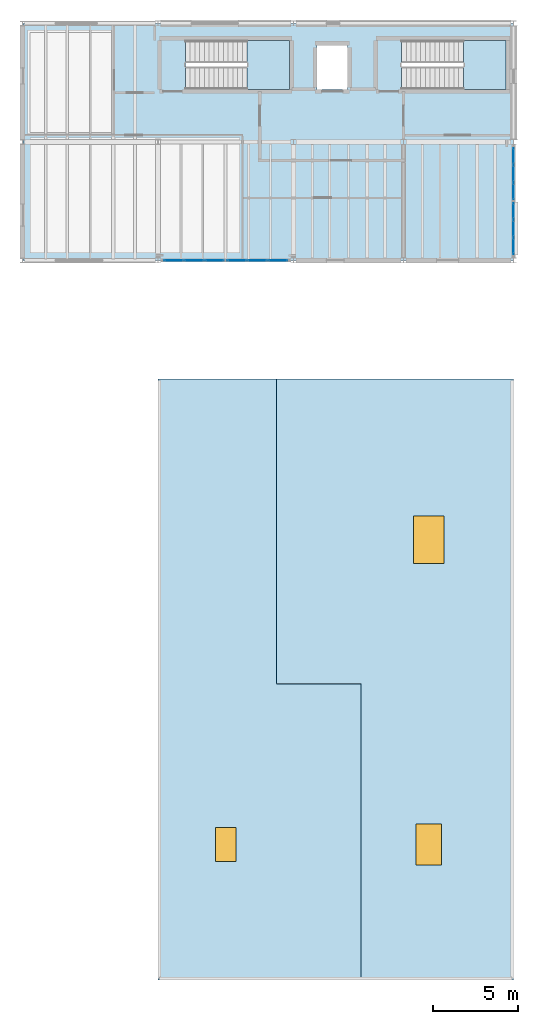
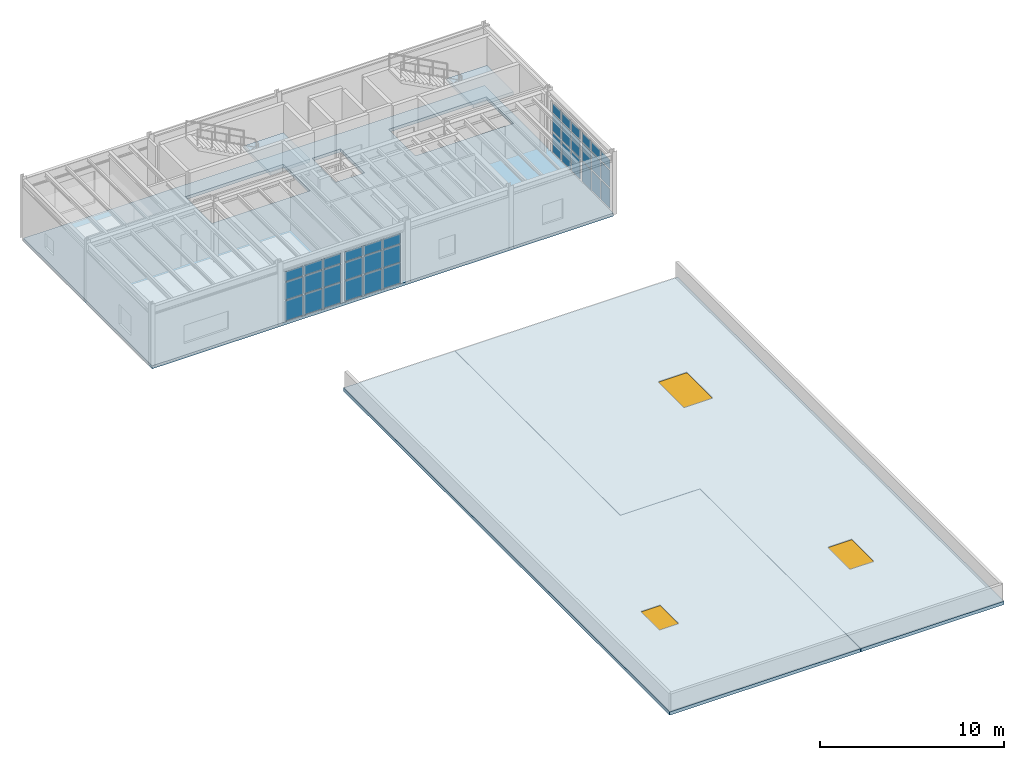
# One storey, part 6 of 11: 36 plates, 5 slabs, 3 windows, 3 openings, 6 elements without a shape of their own.
"""IFC4 building model written with IfcOpenShell, lengths in metres."""

import ifcopenshell
import ifcopenshell.guid

model = None  # the IFC model being written
_history = None  # IfcOwnerHistory: only IFC2X3 demands one
_inside = {}  # id of a spatial element -> (the spatial element, [elements in it])
_under = {}  # id of a project, library or spatial element -> (it, [spatial elements below it])
_declared = {}  # id of a project -> (the project, [libraries it declares])
_typed = {}  # id of a type object -> (the type object, [elements of that type])
_made_of = {}  # id of a material, layer set ... -> (it, [elements and type objects made of it])


def new_model(schema):
    """Start an empty IFC model of exactly this schema.

    Asked for "IFC4X3", IfcOpenShell would pick the latest addendum, in which some entities
    have other attributes; the version numbers below select the first issue.
    IFC2X3 requires an IfcOwnerHistory on every rooted entity: one is made here for all.
    """
    global model, _history
    if schema == "IFC4X3":
        model = ifcopenshell.file(schema_version=(4, 3, 0, 0))
    else:
        model = ifcopenshell.file(schema=schema)
    _inside.clear()
    _under.clear()
    _declared.clear()
    _typed.clear()
    _made_of.clear()
    _history = None
    if model.schema == "IFC2X3":
        org = make("IfcOrganization", Name="unknown")
        user = make(
            "IfcPersonAndOrganization",
            ThePerson=make("IfcPerson", FamilyName="unknown"),
            TheOrganization=org,
        )
        app = make(
            "IfcApplication",
            ApplicationDeveloper=org,
            Version="unknown",
            ApplicationFullName="unknown",
            ApplicationIdentifier="unknown",
        )
        _history = make(
            "IfcOwnerHistory",
            OwningUser=user,
            OwningApplication=app,
            ChangeAction="ADDED",
            CreationDate=0,
        )
    return model


def make(cls, **values):
    """One entity of the class cls with the attributes given. An attribute that is None is left unset."""
    return model.create_entity(
        cls, **{name: value for name, value in values.items() if value is not None}
    )


def rooted(cls, **values):
    """An entity with a GlobalId (a new one), such as an element, a storey or a relation."""
    return make(cls, GlobalId=ifcopenshell.guid.new(), OwnerHistory=_history, **values)


def si_unit(unit_type, name, prefix=None):
    """IfcSIUnit, for example si_unit("LENGTHUNIT", "METRE", prefix="MILLI")."""
    return make("IfcSIUnit", UnitType=unit_type, Prefix=prefix, Name=name)


def assignment(units):
    """IfcUnitAssignment: the units of a project."""
    return None if units is None else make("IfcUnitAssignment", Units=units)


def point(xyz):
    """IfcCartesianPoint."""
    return None if xyz is None else make("IfcCartesianPoint", Coordinates=xyz)


def direction(xyz):
    """IfcDirection."""
    return None if xyz is None else make("IfcDirection", DirectionRatios=xyz)


def frame(location, z_axis=None, x_axis=None):
    """IfcAxis2Placement3D, a coordinate frame: its origin and axes. An axis left out is left unset."""
    return make(
        "IfcAxis2Placement3D",
        Location=point(location),
        Axis=direction(z_axis),
        RefDirection=direction(x_axis),
    )


def frame_2d(location, x_axis=None):
    """IfcAxis2Placement2D, a coordinate frame in the plane: its origin and x axis."""
    return make(
        "IfcAxis2Placement2D", Location=point(location), RefDirection=direction(x_axis)
    )


def origin():
    """The frame at (0, 0, 0) with its axes left unset."""
    return frame((0.0, 0.0, 0.0))


def origin_2d():
    """The frame at (0, 0) in the plane with its x axis left unset."""
    return frame_2d((0.0, 0.0))


def place(relative_to, where):
    """IfcLocalPlacement: puts the frame where relative to a parent placement (None: the world)."""
    return make(
        "IfcLocalPlacement", PlacementRelTo=relative_to, RelativePlacement=where
    )


def context(
    kind, dimensions, precision=None, world=None, true_north=None, identifier=None
):
    """IfcGeometricRepresentationContext, for example the 3D "Model" context."""
    return make(
        "IfcGeometricRepresentationContext",
        ContextIdentifier=identifier,
        ContextType=kind,
        CoordinateSpaceDimension=dimensions,
        Precision=precision,
        WorldCoordinateSystem=world,
        TrueNorth=true_north,
    )


def subcontext(parent, identifier, kind, view, scale=None):
    """IfcGeometricRepresentationSubContext, for example "Body" below "Model"."""
    return make(
        "IfcGeometricRepresentationSubContext",
        ContextIdentifier=identifier,
        ContextType=kind,
        ParentContext=parent,
        TargetScale=scale,
        TargetView=view,
    )


def project(units=None, contexts=None):
    """IfcProject with its units and contexts."""
    return rooted(
        "IfcProject",
        Name="project",
        RepresentationContexts=contexts,
        UnitsInContext=assignment(units),
    )


def spatial(cls, under=None, at=None, **own):
    """A site, building, storey or space (cls), placed at a placement, below another one or the project."""
    s = rooted(cls, ObjectPlacement=at, **own)
    if under is not None:
        _under.setdefault(under.id(), (under, []))[1].append(s)
    return s


def polyline(points):
    """IfcPolyline through the points."""
    return make("IfcPolyline", Points=[point(p) for p in points])


def profile(cls, at=None, kind="AREA", **sizes):
    """A parametric profile (cls). Its sizes go by their IFC names, for example OverallWidth=200.0."""
    return make(cls, ProfileType=kind, Position=at, **sizes)


def rectangle(**sizes):
    """IfcRectangleProfileDef."""
    return profile("IfcRectangleProfileDef", **sizes)


def outline(outer, holes=None, kind="AREA"):
    """IfcArbitraryClosedProfileDef: a profile drawn as a closed curve; with holes, ...WithVoids."""
    if holes is None:
        return make("IfcArbitraryClosedProfileDef", ProfileType=kind, OuterCurve=outer)
    return make(
        "IfcArbitraryProfileDefWithVoids",
        ProfileType=kind,
        OuterCurve=outer,
        InnerCurves=holes,
    )


def extrude(swept, where, along, depth):
    """IfcExtrudedAreaSolid: the profile swept, set in the frame where, extruded along a direction by depth."""
    return make(
        "IfcExtrudedAreaSolid",
        SweptArea=swept,
        Position=where,
        ExtrudedDirection=direction(along),
        Depth=depth,
    )


def shape(context_of_items, identifier, shape_type, items):
    """IfcShapeRepresentation: the items that make up one representation, for example the "Body"."""
    return make(
        "IfcShapeRepresentation",
        ContextOfItems=context_of_items,
        RepresentationIdentifier=identifier,
        RepresentationType=shape_type,
        Items=items,
    )


def material(Name=None, Category=None):
    """IfcMaterial."""
    return make("IfcMaterial", Name=Name, Category=Category)


def layer(
    of_material, thickness, ventilated=None, Name=None, Category=None, Priority=None
):
    """IfcMaterialLayer: one layer of a wall or slab, of a material (None: an air gap)."""
    return make(
        "IfcMaterialLayer",
        Material=of_material,
        LayerThickness=thickness,
        IsVentilated=ventilated,
        Name=Name,
        Category=Category,
        Priority=Priority,
    )


def layer_set(layers, Name=None):
    """IfcMaterialLayerSet."""
    return make("IfcMaterialLayerSet", MaterialLayers=layers, LayerSetName=Name)


def made_of(thing, what):
    """Note that an element or type object is made of a material, layer set ...; save() writes the relation."""
    if what is not None:
        _made_of.setdefault(what.id(), (what, []))[1].append(thing)
    return thing


def type_object(cls, material=None, **own):
    """A type object (cls), such as IfcWallType, which elements share."""
    return made_of(rooted(cls, **own), material)


def element(
    cls,
    number,
    at=None,
    inside=None,
    cuts=None,
    type_object=None,
    material=None,
    context=None,
    identifier="Body",
    shape_type=None,
    held_by="IfcProductDefinitionShape",
    body=None,
    shapes=None,
    **own,
):
    """One element of the class cls, such as IfcWall. Its Tag is "e" and its number.

    at: its placement. inside: the storey or other place that contains it. cuts: it is an
    opening in that element (IfcRelVoidsElement). A single representation is given by context,
    identifier, shape_type and body (its items); several are given by shapes. held_by: the class
    of the entity that holds the representations. save() writes the other relations.
    """
    e = rooted(cls, Tag="e%d" % number, ObjectPlacement=at, **own)
    if body is not None:
        shapes = [shape(context, identifier, shape_type, body)]
    if shapes is not None:
        e.Representation = make(held_by, Representations=shapes)
    if inside is not None:
        _inside.setdefault(inside.id(), (inside, []))[1].append(e)
    if cuts is not None:
        rooted(
            "IfcRelVoidsElement", RelatingBuildingElement=cuts, RelatedOpeningElement=e
        )
    if type_object is not None:
        _typed.setdefault(type_object.id(), (type_object, []))[1].append(e)
    return made_of(e, material)


def fill(opening, filler):
    """IfcRelFillsElement: the door or window that sits in an opening."""
    return rooted(
        "IfcRelFillsElement",
        RelatingOpeningElement=opening,
        RelatedBuildingElement=filler,
    )


def aggregate(whole, parts):
    """IfcRelAggregates: a whole, such as a stair, and the parts it consists of."""
    return rooted("IfcRelAggregates", RelatingObject=whole, RelatedObjects=parts)


def save(model, path):
    """Write the relations noted so far, then the file.

    IfcRelAggregates (storeys below a building ...), IfcRelContainedInSpatialStructure (elements
    in a storey), IfcRelDefinesByType, IfcRelAssociatesMaterial and IfcRelDeclares: one each for
    every whole, place, type object, material and project.
    """
    for whole, parts in _under.values():
        aggregate(whole, parts)
    for where, things in _inside.values():
        rooted(
            "IfcRelContainedInSpatialStructure",
            RelatedElements=things,
            RelatingStructure=where,
        )
    for kind, things in _typed.values():
        rooted("IfcRelDefinesByType", RelatedObjects=things, RelatingType=kind)
    for what, things in _made_of.values():
        rooted("IfcRelAssociatesMaterial", RelatedObjects=things, RelatingMaterial=what)
    for by, libraries in _declared.values():
        rooted("IfcRelDeclares", RelatingContext=by, RelatedDefinitions=libraries)
    model.write(path)


model = new_model("IFC4")

# Units and contexts
model_context = context("Model", 3, precision=1e-05, world=origin(), true_north=direction((0.0, 1.0)))
body_context = subcontext(model_context, "Body", "Model", "MODEL_VIEW")
ifc_project = project(units=[si_unit("LENGTHUNIT", "METRE"), si_unit("AREAUNIT", "SQUARE_METRE"), si_unit("VOLUMEUNIT", "CUBIC_METRE"), si_unit("PLANEANGLEUNIT", "RADIAN"), si_unit("MASSUNIT", "GRAM", prefix="KILO"), si_unit("THERMODYNAMICTEMPERATUREUNIT", "KELVIN"), si_unit("POWERUNIT", "WATT")], contexts=[model_context])

# Site, building, storey
site_placement = place(None, origin())
site = spatial("IfcSite", under=ifc_project, at=site_placement, CompositionType="ELEMENT")
building_placement = place(site_placement, origin())
building = spatial("IfcBuilding", under=site, at=building_placement, Name="Zhenchuan Central Fire Station", CompositionType="ELEMENT")
storey_placement = place(building_placement, frame((0.0, 0.0, 18.449951171875)))
storey = spatial("IfcBuildingStorey", under=building, at=storey_placement, Name="L05", CompositionType="ELEMENT", Elevation=18.449951171875)

# Curtain wall, plates
ifc_material_1 = material(Name="Anodised aluminium and low-E glazing", Category="aluminium")
curtain_wall_type_1 = type_object("IfcCurtainWallType", Name="CW-MOD-15", PredefinedType="USERDEFINED", material=ifc_material_1)
curtain_wall_1_placement = place(storey_placement, origin())
curtain_wall_1 = element("IfcCurtainWall", 1, at=curtain_wall_1_placement, inside=storey, type_object=curtain_wall_type_1, Name="L05 Unitised Curtain Wall 150", ObjectType="UNITISED GLAZING", PredefinedType="USERDEFINED")
ifc_material_2 = material(Name="Laminated low-E double glazing", Category="glass")
ifc_layer_1 = layer(ifc_material_2, 0.011962890625, Name="Laminated low-E double glazing", Category="glass")
ifc_layer_set_1 = layer_set([ifc_layer_1], Name="Laminated low-E double glazing")
plate_type = type_object("IfcPlateType", Name="CW-PNL12", PredefinedType="CURTAIN_PANEL", material=ifc_layer_set_1)
plate_1_placement = place(storey_placement, frame((161.0, 43.345703125, 0.07080078125), z_axis=(0.0, 0.0, 1.0), x_axis=(0.0, 1.0, 0.0)))
plate_1 = element("IfcPlate", 2, at=plate_1_placement, type_object=plate_type, Name="CW-15 panel 1.1", PredefinedType="CURTAIN_PANEL", context=body_context, shape_type="SweptSolid", body=[
    extrude(rectangle(XDim=0.94140625, YDim=0.011962890625, at=origin_2d()), origin(), (0.0, 0.0, 1.0), 1.319580078125),
])
plate_2_placement = place(storey_placement, frame((161.0, 43.345703125, 1.465576171875), z_axis=(0.0, 0.0, 1.0), x_axis=(0.0, 1.0, 0.0)))
plate_2 = element("IfcPlate", 3, at=plate_2_placement, type_object=plate_type, Name="CW-15 panel 1.2", PredefinedType="CURTAIN_PANEL", context=body_context, shape_type="SweptSolid", body=[
    extrude(rectangle(XDim=0.94140625, YDim=0.011962890625, at=origin_2d()), origin(), (0.0, 0.0, 1.0), 1.14892578125),
])
plate_3_placement = place(storey_placement, frame((161.0, 43.345703125, 2.689453125), z_axis=(0.0, 0.0, 1.0), x_axis=(0.0, 1.0, 0.0)))
plate_3 = element("IfcPlate", 4, at=plate_3_placement, type_object=plate_type, Name="CW-15 panel 1.3", PredefinedType="CURTAIN_PANEL", context=body_context, shape_type="SweptSolid", body=[
    extrude(rectangle(XDim=0.94140625, YDim=0.011962890625, at=origin_2d()), origin(), (0.0, 0.0, 1.0), 0.635498046875),
])
plate_4_placement = place(storey_placement, frame((161.0, 44.381103515625, 0.07080078125), z_axis=(0.0, 0.0, 1.0), x_axis=(0.0, 1.0, 0.0)))
plate_4 = element("IfcPlate", 5, at=plate_4_placement, type_object=plate_type, Name="CW-15 panel 2.1", PredefinedType="CURTAIN_PANEL", context=body_context, shape_type="SweptSolid", body=[
    extrude(rectangle(XDim=0.97900390625, YDim=0.011962890625, at=origin_2d()), origin(), (0.0, 0.0, 1.0), 1.319580078125),
])
plate_5_placement = place(storey_placement, frame((161.0, 44.381103515625, 1.465576171875), z_axis=(0.0, 0.0, 1.0), x_axis=(0.0, 1.0, 0.0)))
plate_5 = element("IfcPlate", 6, at=plate_5_placement, type_object=plate_type, Name="CW-15 panel 2.2", PredefinedType="CURTAIN_PANEL", context=body_context, shape_type="SweptSolid", body=[
    extrude(rectangle(XDim=0.97900390625, YDim=0.011962890625, at=origin_2d()), origin(), (0.0, 0.0, 1.0), 1.14892578125),
])
plate_6_placement = place(storey_placement, frame((161.0, 44.381103515625, 2.689453125), z_axis=(0.0, 0.0, 1.0), x_axis=(0.0, 1.0, 0.0)))
plate_6 = element("IfcPlate", 7, at=plate_6_placement, type_object=plate_type, Name="CW-15 panel 2.3", PredefinedType="CURTAIN_PANEL", context=body_context, shape_type="SweptSolid", body=[
    extrude(rectangle(XDim=0.97900390625, YDim=0.011962890625, at=origin_2d()), origin(), (0.0, 0.0, 1.0), 0.635498046875),
])
plate_7_placement = place(storey_placement, frame((161.0, 45.416259765625, 0.07080078125), z_axis=(0.0, 0.0, 1.0), x_axis=(0.0, 1.0, 0.0)))
plate_7 = element("IfcPlate", 8, at=plate_7_placement, type_object=plate_type, Name="CW-15 panel 3.1", PredefinedType="CURTAIN_PANEL", context=body_context, shape_type="SweptSolid", body=[
    extrude(rectangle(XDim=0.94140625, YDim=0.011962890625, at=origin_2d()), origin(), (0.0, 0.0, 1.0), 1.319580078125),
])
plate_8_placement = place(storey_placement, frame((161.0, 45.416259765625, 1.465576171875), z_axis=(0.0, 0.0, 1.0), x_axis=(0.0, 1.0, 0.0)))
plate_8 = element("IfcPlate", 9, at=plate_8_placement, type_object=plate_type, Name="CW-15 panel 3.2", PredefinedType="CURTAIN_PANEL", context=body_context, shape_type="SweptSolid", body=[
    extrude(rectangle(XDim=0.94140625, YDim=0.011962890625, at=origin_2d()), origin(), (0.0, 0.0, 1.0), 1.14892578125),
])
plate_9_placement = place(storey_placement, frame((161.0, 45.416259765625, 2.689453125), z_axis=(0.0, 0.0, 1.0), x_axis=(0.0, 1.0, 0.0)))
plate_9 = element("IfcPlate", 10, at=plate_9_placement, type_object=plate_type, Name="CW-15 panel 3.3", PredefinedType="CURTAIN_PANEL", context=body_context, shape_type="SweptSolid", body=[
    extrude(rectangle(XDim=0.94140625, YDim=0.011962890625, at=origin_2d()), origin(), (0.0, 0.0, 1.0), 0.635498046875),
])
aggregate(curtain_wall_1, [plate_1, plate_2, plate_3, plate_4, plate_5, plate_6, plate_7, plate_8, plate_9])

curtain_wall_type_2 = type_object("IfcCurtainWallType", Name="CW-MOD-16", PredefinedType="USERDEFINED", material=ifc_material_1)
curtain_wall_2_placement = place(storey_placement, origin())
curtain_wall_2 = element("IfcCurtainWall", 11, at=curtain_wall_2_placement, inside=storey, type_object=curtain_wall_type_2, Name="L05 Unitised Curtain Wall 151", ObjectType="UNITISED GLAZING", PredefinedType="USERDEFINED")
plate_10_placement = place(storey_placement, frame((161.0, 46.583740234375, 0.07080078125), z_axis=(0.0, 0.0, 1.0), x_axis=(0.0, 1.0, 0.0)))
plate_10 = element("IfcPlate", 12, at=plate_10_placement, type_object=plate_type, Name="CW-16 panel 1.1", PredefinedType="CURTAIN_PANEL", context=body_context, shape_type="SweptSolid", body=[
    extrude(rectangle(XDim=0.94140625, YDim=0.011962890625, at=origin_2d()), origin(), (0.0, 0.0, 1.0), 1.319580078125),
])
plate_11_placement = place(storey_placement, frame((161.0, 46.583740234375, 1.465576171875), z_axis=(0.0, 0.0, 1.0), x_axis=(0.0, 1.0, 0.0)))
plate_11 = element("IfcPlate", 13, at=plate_11_placement, type_object=plate_type, Name="CW-16 panel 1.2", PredefinedType="CURTAIN_PANEL", context=body_context, shape_type="SweptSolid", body=[
    extrude(rectangle(XDim=0.94140625, YDim=0.011962890625, at=origin_2d()), origin(), (0.0, 0.0, 1.0), 1.14892578125),
])
plate_12_placement = place(storey_placement, frame((161.0, 46.583740234375, 2.689453125), z_axis=(0.0, 0.0, 1.0), x_axis=(0.0, 1.0, 0.0)))
plate_12 = element("IfcPlate", 14, at=plate_12_placement, type_object=plate_type, Name="CW-16 panel 1.3", PredefinedType="CURTAIN_PANEL", context=body_context, shape_type="SweptSolid", body=[
    extrude(rectangle(XDim=0.94140625, YDim=0.011962890625, at=origin_2d()), origin(), (0.0, 0.0, 1.0), 0.635498046875),
])
plate_13_placement = place(storey_placement, frame((161.0, 47.618896484375, 0.07080078125), z_axis=(0.0, 0.0, 1.0), x_axis=(0.0, 1.0, 0.0)))
plate_13 = element("IfcPlate", 15, at=plate_13_placement, type_object=plate_type, Name="CW-16 panel 2.1", PredefinedType="CURTAIN_PANEL", context=body_context, shape_type="SweptSolid", body=[
    extrude(rectangle(XDim=0.97900390625, YDim=0.011962890625, at=origin_2d()), origin(), (0.0, 0.0, 1.0), 1.319580078125),
])
plate_14_placement = place(storey_placement, frame((161.0, 47.618896484375, 1.465576171875), z_axis=(0.0, 0.0, 1.0), x_axis=(0.0, 1.0, 0.0)))
plate_14 = element("IfcPlate", 16, at=plate_14_placement, type_object=plate_type, Name="CW-16 panel 2.2", PredefinedType="CURTAIN_PANEL", context=body_context, shape_type="SweptSolid", body=[
    extrude(rectangle(XDim=0.97900390625, YDim=0.011962890625, at=origin_2d()), origin(), (0.0, 0.0, 1.0), 1.14892578125),
])
plate_15_placement = place(storey_placement, frame((161.0, 47.618896484375, 2.689453125), z_axis=(0.0, 0.0, 1.0), x_axis=(0.0, 1.0, 0.0)))
plate_15 = element("IfcPlate", 17, at=plate_15_placement, type_object=plate_type, Name="CW-16 panel 2.3", PredefinedType="CURTAIN_PANEL", context=body_context, shape_type="SweptSolid", body=[
    extrude(rectangle(XDim=0.97900390625, YDim=0.011962890625, at=origin_2d()), origin(), (0.0, 0.0, 1.0), 0.635498046875),
])
plate_16_placement = place(storey_placement, frame((161.0, 48.654296875, 0.07080078125), z_axis=(0.0, 0.0, 1.0), x_axis=(0.0, 1.0, 0.0)))
plate_16 = element("IfcPlate", 18, at=plate_16_placement, type_object=plate_type, Name="CW-16 panel 3.1", PredefinedType="CURTAIN_PANEL", context=body_context, shape_type="SweptSolid", body=[
    extrude(rectangle(XDim=0.94140625, YDim=0.011962890625, at=origin_2d()), origin(), (0.0, 0.0, 1.0), 1.319580078125),
])
plate_17_placement = place(storey_placement, frame((161.0, 48.654296875, 1.465576171875), z_axis=(0.0, 0.0, 1.0), x_axis=(0.0, 1.0, 0.0)))
plate_17 = element("IfcPlate", 19, at=plate_17_placement, type_object=plate_type, Name="CW-16 panel 3.2", PredefinedType="CURTAIN_PANEL", context=body_context, shape_type="SweptSolid", body=[
    extrude(rectangle(XDim=0.94140625, YDim=0.011962890625, at=origin_2d()), origin(), (0.0, 0.0, 1.0), 1.14892578125),
])
plate_18_placement = place(storey_placement, frame((161.0, 48.654296875, 2.689453125), z_axis=(0.0, 0.0, 1.0), x_axis=(0.0, 1.0, 0.0)))
plate_18 = element("IfcPlate", 20, at=plate_18_placement, type_object=plate_type, Name="CW-16 panel 3.3", PredefinedType="CURTAIN_PANEL", context=body_context, shape_type="SweptSolid", body=[
    extrude(rectangle(XDim=0.94140625, YDim=0.011962890625, at=origin_2d()), origin(), (0.0, 0.0, 1.0), 0.635498046875),
])
aggregate(curtain_wall_2, [plate_10, plate_11, plate_12, plate_13, plate_14, plate_15, plate_16, plate_17, plate_18])

curtain_wall_type_3 = type_object("IfcCurtainWallType", Name="CW-MOD-01", PredefinedType="USERDEFINED", material=ifc_material_1)
curtain_wall_3_placement = place(storey_placement, origin())
curtain_wall_3 = element("IfcCurtainWall", 21, at=curtain_wall_3_placement, inside=storey, type_object=curtain_wall_type_3, Name="L05 Unitised Curtain Wall 152", ObjectType="UNITISED GLAZING", PredefinedType="USERDEFINED")
plate_19_placement = place(storey_placement, frame((140.926513671875, 42.5, 0.06103515625), z_axis=(0.0, 0.0, 1.0), x_axis=(1.0, 0.0, 0.0)))
plate_19 = element("IfcPlate", 22, at=plate_19_placement, type_object=plate_type, Name="CW-01 panel 1.1", PredefinedType="CURTAIN_PANEL", context=body_context, shape_type="SweptSolid", body=[
    extrude(rectangle(XDim=1.123046875, YDim=0.011962890625, at=origin_2d()), origin(), (0.0, 0.0, 1.0), 1.33447265625),
])
plate_20_placement = place(storey_placement, frame((140.926513671875, 42.5, 1.46044921875), z_axis=(0.0, 0.0, 1.0), x_axis=(1.0, 0.0, 0.0)))
plate_20 = element("IfcPlate", 23, at=plate_20_placement, type_object=plate_type, Name="CW-01 panel 1.2", PredefinedType="CURTAIN_PANEL", context=body_context, shape_type="SweptSolid", body=[
    extrude(rectangle(XDim=1.123046875, YDim=0.011962890625, at=origin_2d()), origin(), (0.0, 0.0, 1.0), 1.158935546875),
])
plate_21_placement = place(storey_placement, frame((140.926513671875, 42.5, 2.6845703125), z_axis=(0.0, 0.0, 1.0), x_axis=(1.0, 0.0, 0.0)))
plate_21 = element("IfcPlate", 24, at=plate_21_placement, type_object=plate_type, Name="CW-01 panel 1.3", PredefinedType="CURTAIN_PANEL", context=body_context, shape_type="SweptSolid", body=[
    extrude(rectangle(XDim=1.123046875, YDim=0.011962890625, at=origin_2d()), origin(), (0.0, 0.0, 1.0), 0.650390625),
])
plate_22_placement = place(storey_placement, frame((142.131103515625, 42.5, 0.06103515625), z_axis=(0.0, 0.0, 1.0), x_axis=(1.0, 0.0, 0.0)))
plate_22 = element("IfcPlate", 25, at=plate_22_placement, type_object=plate_type, Name="CW-01 panel 2.1", PredefinedType="CURTAIN_PANEL", context=body_context, shape_type="SweptSolid", body=[
    extrude(rectangle(XDim=1.15576171875, YDim=0.011962890625, at=origin_2d()), origin(), (0.0, 0.0, 1.0), 1.33447265625),
])
plate_23_placement = place(storey_placement, frame((142.131103515625, 42.5, 1.46044921875), z_axis=(0.0, 0.0, 1.0), x_axis=(1.0, 0.0, 0.0)))
plate_23 = element("IfcPlate", 26, at=plate_23_placement, type_object=plate_type, Name="CW-01 panel 2.2", PredefinedType="CURTAIN_PANEL", context=body_context, shape_type="SweptSolid", body=[
    extrude(rectangle(XDim=1.15576171875, YDim=0.011962890625, at=origin_2d()), origin(), (0.0, 0.0, 1.0), 1.158935546875),
])
plate_24_placement = place(storey_placement, frame((142.131103515625, 42.5, 2.6845703125), z_axis=(0.0, 0.0, 1.0), x_axis=(1.0, 0.0, 0.0)))
plate_24 = element("IfcPlate", 27, at=plate_24_placement, type_object=plate_type, Name="CW-01 panel 2.3", PredefinedType="CURTAIN_PANEL", context=body_context, shape_type="SweptSolid", body=[
    extrude(rectangle(XDim=1.15576171875, YDim=0.011962890625, at=origin_2d()), origin(), (0.0, 0.0, 1.0), 0.650390625),
])
plate_25_placement = place(storey_placement, frame((143.33544921875, 42.5, 0.06103515625), z_axis=(0.0, 0.0, 1.0), x_axis=(1.0, 0.0, 0.0)))
plate_25 = element("IfcPlate", 28, at=plate_25_placement, type_object=plate_type, Name="CW-01 panel 3.1", PredefinedType="CURTAIN_PANEL", context=body_context, shape_type="SweptSolid", body=[
    extrude(rectangle(XDim=1.123046875, YDim=0.011962890625, at=origin_2d()), origin(), (0.0, 0.0, 1.0), 1.33447265625),
])
plate_26_placement = place(storey_placement, frame((143.33544921875, 42.5, 1.46044921875), z_axis=(0.0, 0.0, 1.0), x_axis=(1.0, 0.0, 0.0)))
plate_26 = element("IfcPlate", 29, at=plate_26_placement, type_object=plate_type, Name="CW-01 panel 3.2", PredefinedType="CURTAIN_PANEL", context=body_context, shape_type="SweptSolid", body=[
    extrude(rectangle(XDim=1.123046875, YDim=0.011962890625, at=origin_2d()), origin(), (0.0, 0.0, 1.0), 1.158935546875),
])
plate_27_placement = place(storey_placement, frame((143.33544921875, 42.5, 2.6845703125), z_axis=(0.0, 0.0, 1.0), x_axis=(1.0, 0.0, 0.0)))
plate_27 = element("IfcPlate", 30, at=plate_27_placement, type_object=plate_type, Name="CW-01 panel 3.3", PredefinedType="CURTAIN_PANEL", context=body_context, shape_type="SweptSolid", body=[
    extrude(rectangle(XDim=1.123046875, YDim=0.011962890625, at=origin_2d()), origin(), (0.0, 0.0, 1.0), 0.650390625),
])
aggregate(curtain_wall_3, [plate_19, plate_20, plate_21, plate_22, plate_23, plate_24, plate_25, plate_26, plate_27])

curtain_wall_type_4 = type_object("IfcCurtainWallType", Name="CW-MOD-02", PredefinedType="USERDEFINED", material=ifc_material_1)
curtain_wall_4_placement = place(storey_placement, origin())
curtain_wall_4 = element("IfcCurtainWall", 31, at=curtain_wall_4_placement, inside=storey, type_object=curtain_wall_type_4, Name="L05 Unitised Curtain Wall 153", ObjectType="UNITISED GLAZING", PredefinedType="USERDEFINED")
plate_28_placement = place(storey_placement, frame((144.66455078125, 42.5, 0.06103515625), z_axis=(0.0, 0.0, 1.0), x_axis=(1.0, 0.0, 0.0)))
plate_28 = element("IfcPlate", 32, at=plate_28_placement, type_object=plate_type, Name="CW-02 panel 1.1", PredefinedType="CURTAIN_PANEL", context=body_context, shape_type="SweptSolid", body=[
    extrude(rectangle(XDim=1.123046875, YDim=0.011962890625, at=origin_2d()), origin(), (0.0, 0.0, 1.0), 1.33447265625),
])
plate_29_placement = place(storey_placement, frame((144.66455078125, 42.5, 1.46044921875), z_axis=(0.0, 0.0, 1.0), x_axis=(1.0, 0.0, 0.0)))
plate_29 = element("IfcPlate", 33, at=plate_29_placement, type_object=plate_type, Name="CW-02 panel 1.2", PredefinedType="CURTAIN_PANEL", context=body_context, shape_type="SweptSolid", body=[
    extrude(rectangle(XDim=1.123046875, YDim=0.011962890625, at=origin_2d()), origin(), (0.0, 0.0, 1.0), 1.158935546875),
])
plate_30_placement = place(storey_placement, frame((144.66455078125, 42.5, 2.6845703125), z_axis=(0.0, 0.0, 1.0), x_axis=(1.0, 0.0, 0.0)))
plate_30 = element("IfcPlate", 34, at=plate_30_placement, type_object=plate_type, Name="CW-02 panel 1.3", PredefinedType="CURTAIN_PANEL", context=body_context, shape_type="SweptSolid", body=[
    extrude(rectangle(XDim=1.123046875, YDim=0.011962890625, at=origin_2d()), origin(), (0.0, 0.0, 1.0), 0.650390625),
])
plate_31_placement = place(storey_placement, frame((145.868896484375, 42.5, 0.06103515625), z_axis=(0.0, 0.0, 1.0), x_axis=(1.0, 0.0, 0.0)))
plate_31 = element("IfcPlate", 35, at=plate_31_placement, type_object=plate_type, Name="CW-02 panel 2.1", PredefinedType="CURTAIN_PANEL", context=body_context, shape_type="SweptSolid", body=[
    extrude(rectangle(XDim=1.15576171875, YDim=0.011962890625, at=origin_2d()), origin(), (0.0, 0.0, 1.0), 1.33447265625),
])
plate_32_placement = place(storey_placement, frame((145.868896484375, 42.5, 1.46044921875), z_axis=(0.0, 0.0, 1.0), x_axis=(1.0, 0.0, 0.0)))
plate_32 = element("IfcPlate", 36, at=plate_32_placement, type_object=plate_type, Name="CW-02 panel 2.2", PredefinedType="CURTAIN_PANEL", context=body_context, shape_type="SweptSolid", body=[
    extrude(rectangle(XDim=1.15576171875, YDim=0.011962890625, at=origin_2d()), origin(), (0.0, 0.0, 1.0), 1.158935546875),
])
plate_33_placement = place(storey_placement, frame((145.868896484375, 42.5, 2.6845703125), z_axis=(0.0, 0.0, 1.0), x_axis=(1.0, 0.0, 0.0)))
plate_33 = element("IfcPlate", 37, at=plate_33_placement, type_object=plate_type, Name="CW-02 panel 2.3", PredefinedType="CURTAIN_PANEL", context=body_context, shape_type="SweptSolid", body=[
    extrude(rectangle(XDim=1.15576171875, YDim=0.011962890625, at=origin_2d()), origin(), (0.0, 0.0, 1.0), 0.650390625),
])
plate_34_placement = place(storey_placement, frame((147.073486328125, 42.5, 0.06103515625), z_axis=(0.0, 0.0, 1.0), x_axis=(1.0, 0.0, 0.0)))
plate_34 = element("IfcPlate", 38, at=plate_34_placement, type_object=plate_type, Name="CW-02 panel 3.1", PredefinedType="CURTAIN_PANEL", context=body_context, shape_type="SweptSolid", body=[
    extrude(rectangle(XDim=1.123046875, YDim=0.011962890625, at=origin_2d()), origin(), (0.0, 0.0, 1.0), 1.33447265625),
])
plate_35_placement = place(storey_placement, frame((147.073486328125, 42.5, 1.46044921875), z_axis=(0.0, 0.0, 1.0), x_axis=(1.0, 0.0, 0.0)))
plate_35 = element("IfcPlate", 39, at=plate_35_placement, type_object=plate_type, Name="CW-02 panel 3.2", PredefinedType="CURTAIN_PANEL", context=body_context, shape_type="SweptSolid", body=[
    extrude(rectangle(XDim=1.123046875, YDim=0.011962890625, at=origin_2d()), origin(), (0.0, 0.0, 1.0), 1.158935546875),
])
plate_36_placement = place(storey_placement, frame((147.073486328125, 42.5, 2.6845703125), z_axis=(0.0, 0.0, 1.0), x_axis=(1.0, 0.0, 0.0)))
plate_36 = element("IfcPlate", 40, at=plate_36_placement, type_object=plate_type, Name="CW-02 panel 3.3", PredefinedType="CURTAIN_PANEL", context=body_context, shape_type="SweptSolid", body=[
    extrude(rectangle(XDim=1.123046875, YDim=0.011962890625, at=origin_2d()), origin(), (0.0, 0.0, 1.0), 0.650390625),
])
aggregate(curtain_wall_4, [plate_28, plate_29, plate_30, plate_31, plate_32, plate_33, plate_34, plate_35, plate_36])

# Slab
ifc_material_3 = material(Name="Concrete C35/45", Category="concrete")
ifc_layer_2 = layer(ifc_material_3, 0.199951171875, Name="Concrete C35/45", Category="concrete")
ifc_layer_set_2 = layer_set([ifc_layer_2], Name="Concrete C35/45")
slab_type_1 = type_object("IfcSlabType", Name="SL-FLR200", PredefinedType="FLOOR", material=ifc_layer_set_2)
slab_1_placement = place(storey_placement, frame((0.0, 0.0, -0.199951171875)))
element("IfcSlab", 41, at=slab_1_placement, inside=storey, type_object=slab_type_1, Name="L05 Drill Tower Rope-Rescue Floor Slab", PredefinedType="FLOOR", context=body_context, shape_type="SweptSolid", body=[
    extrude(outline(polyline([(132.02490234375, 42.50390625), (161.0, 42.50390625), (161.0, 56.5), (132.02490234375, 56.5), (132.02490234375, 42.50390625)]), holes=[polyline([(141.62060546875, 52.60009765625), (147.780029296875, 52.60009765625), (147.780029296875, 55.5), (141.62060546875, 55.5), (141.62060546875, 52.60009765625)]), polyline([(154.390380859375, 52.60009765625), (160.550048828125, 52.60009765625), (160.550048828125, 55.5), (154.390380859375, 55.5), (154.390380859375, 52.60009765625)]), polyline([(149.39990234375, 52.60009765625), (151.199951171875, 52.60009765625), (151.199951171875, 55.199951171875), (149.39990234375, 55.199951171875), (149.39990234375, 52.60009765625)])]), origin(), (0.0, 0.0, 1.0), 0.199951171875),
])

# Stair, slab
stair_type = type_object("IfcStairType", Name="ST-CORE-TYP", PredefinedType="HALF_TURN_STAIR", material=ifc_material_3)
stair_1_placement = place(storey_placement, origin())
stair_1 = element("IfcStair", 42, at=stair_1_placement, inside=storey, type_object=stair_type, Name="L05 Drill Tower West Exit Stair", PredefinedType="HALF_TURN_STAIR")
ifc_layer_3 = layer(ifc_material_3, 0.159912109375, Name="Concrete C35/45", Category="concrete")
ifc_layer_set_3 = layer_set([ifc_layer_3], Name="Concrete C35/45")
slab_type_2 = type_object("IfcSlabType", Name="SL-LND160", PredefinedType="LANDING", material=ifc_layer_set_3)
slab_2_placement = place(storey_placement, frame((0.0, 0.0, 1.900146484375)))
slab_2 = element("IfcSlab", 43, at=slab_2_placement, type_object=slab_type_2, Name="ST-12 landing 1", PredefinedType="LANDING", context=body_context, shape_type="SweptSolid", body=[
    extrude(outline(polyline([(145.260009765625, 52.60009765625), (147.780029296875, 52.60009765625), (147.780029296875, 55.5), (145.260009765625, 55.5), (145.260009765625, 52.60009765625)])), origin(), (0.0, 0.0, 1.0), 0.199951171875),
])
aggregate(stair_1, [slab_2])

stair_2_placement = place(storey_placement, origin())
stair_2 = element("IfcStair", 44, at=stair_2_placement, inside=storey, type_object=stair_type, Name="L05 Drill Tower East Exit Stair", PredefinedType="HALF_TURN_STAIR")
slab_3_placement = place(storey_placement, frame((0.0, 0.0, 1.900146484375)))
slab_3 = element("IfcSlab", 45, at=slab_3_placement, type_object=slab_type_2, Name="ST-13 landing 1", PredefinedType="LANDING", context=body_context, shape_type="SweptSolid", body=[
    extrude(outline(polyline([(158.030029296875, 52.60009765625), (160.550048828125, 52.60009765625), (160.550048828125, 55.5), (158.030029296875, 55.5), (158.030029296875, 52.60009765625)])), origin(), (0.0, 0.0, 1.0), 0.199951171875),
])
aggregate(stair_2, [slab_3])

# Slab, opening, window
ifc_layer_4 = layer(ifc_material_3, 0.219970703125, Name="Concrete C35/45", Category="concrete")
ifc_layer_set_4 = layer_set([ifc_layer_4], Name="Concrete C35/45")
slab_type_3 = type_object("IfcSlabType", Name="SL-RF220-INT", PredefinedType="ROOF", material=ifc_layer_set_4)
slab_4_placement = place(storey_placement, frame((0.0, 0.0, -0.219970703125)))
slab_4 = element("IfcSlab", 46, at=slab_4_placement, inside=storey, type_object=slab_type_3, Name="Headquarters Wing Flat Roof Panel A", PredefinedType="ROOF", context=body_context, shape_type="SweptSolid", body=[
    extrude(outline(polyline([(140.0, 0.0), (151.9970703125, 0.0), (151.9970703125, 17.4970703125), (146.9970703125, 17.4970703125), (146.9970703125, 35.5), (140.0, 35.5), (140.0, 0.0)])), origin(), (0.0, 0.0, 1.0), 0.219970703125),
])
opening_1_placement = place(slab_4_placement, frame((144.0, 8.0, -0.010009765625)))
opening_1 = element("IfcOpeningElement", 47, at=opening_1_placement, cuts=slab_4, Name="Opening SK-04", PredefinedType="OPENING", context=body_context, shape_type="SweptSolid", body=[
    extrude(rectangle(XDim=1.199951171875, YDim=2.0, at=origin_2d()), origin(), (0.0, 0.0, 1.0), 0.239990234375),
])
ifc_material_4 = material(Name="Laminated low-E double glazing in aluminium kerb", Category="aluminium")
window_type_1 = type_object("IfcWindowType", Name="SK-04", PartitioningType="SINGLE_PANEL", PredefinedType="SKYLIGHT", material=ifc_material_4)
window_1_placement = place(opening_1_placement, frame((0.0, 0.0, 0.179931640625)))
window_1 = element("IfcWindow", 48, at=window_1_placement, inside=storey, type_object=window_type_1, Name="Daylight Roof Skylight 04", OverallHeight=2.0, OverallWidth=1.199951171875, PartitioningType="SINGLE_PANEL", PredefinedType="SKYLIGHT", context=body_context, shape_type="SweptSolid", body=[
    extrude(rectangle(XDim=1.199951171875, YDim=2.0, at=origin_2d()), origin(), (0.0, 0.0, 1.0), 0.050048828125),
])
fill(opening_1, window_1)

# Slab, openings, windows
slab_5_placement = place(storey_placement, frame((0.0, 0.0, -0.219970703125)))
slab_5 = element("IfcSlab", 49, at=slab_5_placement, inside=storey, type_object=slab_type_3, Name="Headquarters Wing Flat Roof Panel B", PredefinedType="ROOF", context=body_context, shape_type="SweptSolid", body=[
    extrude(outline(polyline([(152.0029296875, 0.0), (161.0, 0.0), (161.0, 35.5), (147.0029296875, 35.5), (147.0029296875, 17.5029296875), (152.0029296875, 17.5029296875), (152.0029296875, 0.0)])), origin(), (0.0, 0.0, 1.0), 0.219970703125),
])
opening_2_placement = place(slab_5_placement, frame((156.0, 8.0, -0.010009765625)))
opening_2 = element("IfcOpeningElement", 50, at=opening_2_placement, cuts=slab_5, Name="Opening SK-05", PredefinedType="OPENING", context=body_context, shape_type="SweptSolid", body=[
    extrude(rectangle(XDim=1.5, YDim=2.39990234375, at=origin_2d()), origin(), (0.0, 0.0, 1.0), 0.239990234375),
])
opening_3_placement = place(slab_5_placement, frame((156.0, 26.0, -0.010009765625)))
opening_3 = element("IfcOpeningElement", 51, at=opening_3_placement, cuts=slab_5, Name="Opening SK-06", PredefinedType="OPENING", context=body_context, shape_type="SweptSolid", body=[
    extrude(rectangle(XDim=1.800048828125, YDim=2.800048828125, at=origin_2d()), origin(), (0.0, 0.0, 1.0), 0.239990234375),
])
window_type_2 = type_object("IfcWindowType", Name="SK-05", PartitioningType="SINGLE_PANEL", PredefinedType="SKYLIGHT", material=ifc_material_4)
window_2_placement = place(opening_2_placement, frame((0.0, 0.0, 0.179931640625)))
window_2 = element("IfcWindow", 52, at=window_2_placement, inside=storey, type_object=window_type_2, Name="Daylight Roof Skylight 05", OverallHeight=2.39990234375, OverallWidth=1.5, PartitioningType="SINGLE_PANEL", PredefinedType="SKYLIGHT", context=body_context, shape_type="SweptSolid", body=[
    extrude(rectangle(XDim=1.5, YDim=2.39990234375, at=origin_2d()), origin(), (0.0, 0.0, 1.0), 0.050048828125),
])
fill(opening_2, window_2)
window_type_3 = type_object("IfcWindowType", Name="SK-06", PartitioningType="SINGLE_PANEL", PredefinedType="SKYLIGHT", material=ifc_material_4)
window_3_placement = place(opening_3_placement, frame((0.0, 0.0, 0.179931640625)))
window_3 = element("IfcWindow", 53, at=window_3_placement, inside=storey, type_object=window_type_3, Name="Daylight Roof Skylight 06", OverallHeight=2.800048828125, OverallWidth=1.800048828125, PartitioningType="SINGLE_PANEL", PredefinedType="SKYLIGHT", context=body_context, shape_type="SweptSolid", body=[
    extrude(rectangle(XDim=1.800048828125, YDim=2.800048828125, at=origin_2d()), origin(), (0.0, 0.0, 1.0), 0.050048828125),
])
fill(opening_3, window_3)

save(model, "model.ifc")
